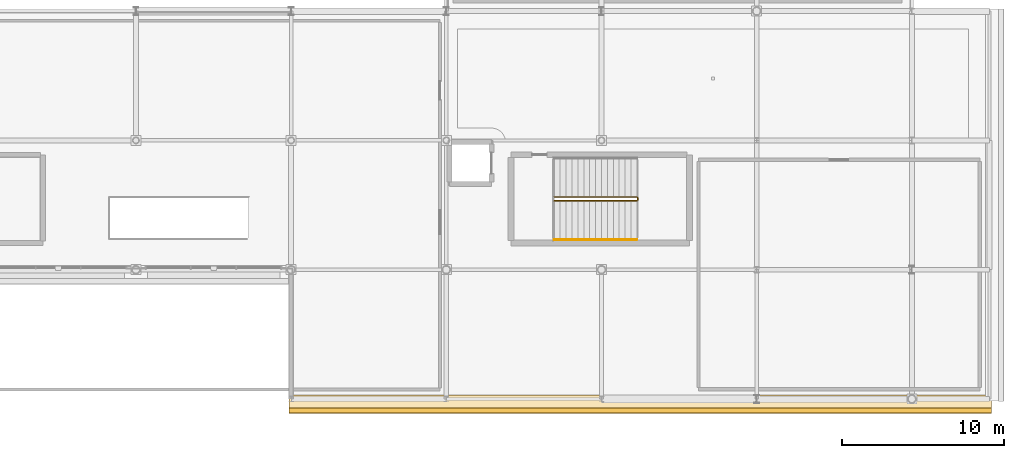
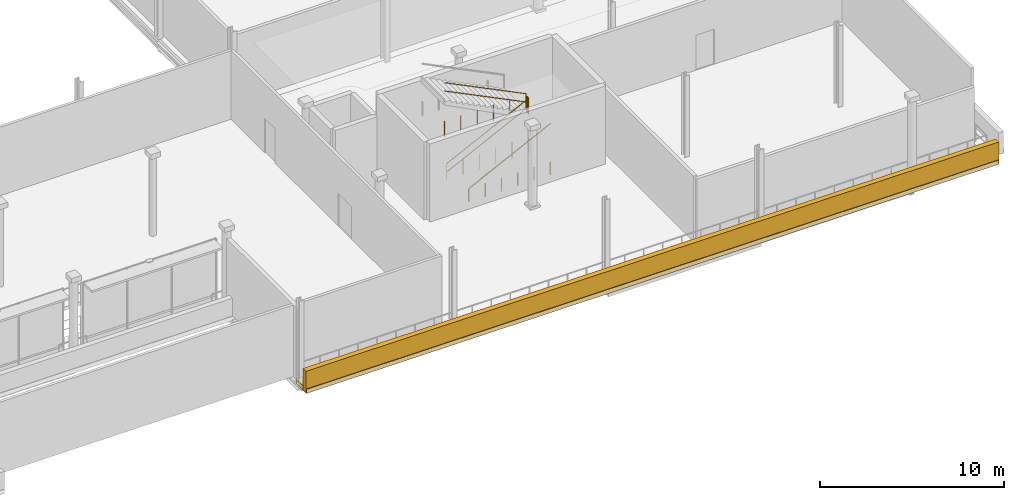
# One storey, part 120 of 129: 4 railings, 2 coverings.
"""IFC4 building model written with IfcOpenShell, lengths in metres."""

import ifcopenshell
import ifcopenshell.guid

model = None  # the IFC model being written
_history = None  # IfcOwnerHistory: only IFC2X3 demands one
_inside = {}  # id of a spatial element -> (the spatial element, [elements in it])
_under = {}  # id of a project, library or spatial element -> (it, [spatial elements below it])
_declared = {}  # id of a project -> (the project, [libraries it declares])
_typed = {}  # id of a type object -> (the type object, [elements of that type])
_made_of = {}  # id of a material, layer set ... -> (it, [elements and type objects made of it])


def new_model(schema):
    """Start an empty IFC model of exactly this schema.

    Asked for "IFC4X3", IfcOpenShell would pick the latest addendum, in which some entities
    have other attributes; the version numbers below select the first issue.
    IFC2X3 requires an IfcOwnerHistory on every rooted entity: one is made here for all.
    """
    global model, _history
    if schema == "IFC4X3":
        model = ifcopenshell.file(schema_version=(4, 3, 0, 0))
    else:
        model = ifcopenshell.file(schema=schema)
    _inside.clear()
    _under.clear()
    _declared.clear()
    _typed.clear()
    _made_of.clear()
    _history = None
    if model.schema == "IFC2X3":
        org = make("IfcOrganization", Name="unknown")
        user = make(
            "IfcPersonAndOrganization",
            ThePerson=make("IfcPerson", FamilyName="unknown"),
            TheOrganization=org,
        )
        app = make(
            "IfcApplication",
            ApplicationDeveloper=org,
            Version="unknown",
            ApplicationFullName="unknown",
            ApplicationIdentifier="unknown",
        )
        _history = make(
            "IfcOwnerHistory",
            OwningUser=user,
            OwningApplication=app,
            ChangeAction="ADDED",
            CreationDate=0,
        )
    return model


def make(cls, **values):
    """One entity of the class cls with the attributes given. An attribute that is None is left unset."""
    return model.create_entity(
        cls, **{name: value for name, value in values.items() if value is not None}
    )


def rooted(cls, **values):
    """An entity with a GlobalId (a new one), such as an element, a storey or a relation."""
    return make(cls, GlobalId=ifcopenshell.guid.new(), OwnerHistory=_history, **values)


def si_unit(unit_type, name, prefix=None):
    """IfcSIUnit, for example si_unit("LENGTHUNIT", "METRE", prefix="MILLI")."""
    return make("IfcSIUnit", UnitType=unit_type, Prefix=prefix, Name=name)


def assignment(units):
    """IfcUnitAssignment: the units of a project."""
    return None if units is None else make("IfcUnitAssignment", Units=units)


def point(xyz):
    """IfcCartesianPoint."""
    return None if xyz is None else make("IfcCartesianPoint", Coordinates=xyz)


def direction(xyz):
    """IfcDirection."""
    return None if xyz is None else make("IfcDirection", DirectionRatios=xyz)


def frame(location, z_axis=None, x_axis=None):
    """IfcAxis2Placement3D, a coordinate frame: its origin and axes. An axis left out is left unset."""
    return make(
        "IfcAxis2Placement3D",
        Location=point(location),
        Axis=direction(z_axis),
        RefDirection=direction(x_axis),
    )


def frame_2d(location, x_axis=None):
    """IfcAxis2Placement2D, a coordinate frame in the plane: its origin and x axis."""
    return make(
        "IfcAxis2Placement2D", Location=point(location), RefDirection=direction(x_axis)
    )


def origin():
    """The frame at (0, 0, 0) with its axes left unset."""
    return frame((0.0, 0.0, 0.0))


def origin_2d():
    """The frame at (0, 0) in the plane with its x axis left unset."""
    return frame_2d((0.0, 0.0))


def place(relative_to, where):
    """IfcLocalPlacement: puts the frame where relative to a parent placement (None: the world)."""
    return make(
        "IfcLocalPlacement", PlacementRelTo=relative_to, RelativePlacement=where
    )


def context(
    kind, dimensions, precision=None, world=None, true_north=None, identifier=None
):
    """IfcGeometricRepresentationContext, for example the 3D "Model" context."""
    return make(
        "IfcGeometricRepresentationContext",
        ContextIdentifier=identifier,
        ContextType=kind,
        CoordinateSpaceDimension=dimensions,
        Precision=precision,
        WorldCoordinateSystem=world,
        TrueNorth=true_north,
    )


def subcontext(parent, identifier, kind, view, scale=None):
    """IfcGeometricRepresentationSubContext, for example "Body" below "Model"."""
    return make(
        "IfcGeometricRepresentationSubContext",
        ContextIdentifier=identifier,
        ContextType=kind,
        ParentContext=parent,
        TargetScale=scale,
        TargetView=view,
    )


def project(units=None, contexts=None):
    """IfcProject with its units and contexts."""
    return rooted(
        "IfcProject",
        Name="project",
        RepresentationContexts=contexts,
        UnitsInContext=assignment(units),
    )


def spatial(cls, under=None, at=None, **own):
    """A site, building, storey or space (cls), placed at a placement, below another one or the project."""
    s = rooted(cls, ObjectPlacement=at, **own)
    if under is not None:
        _under.setdefault(under.id(), (under, []))[1].append(s)
    return s


def profile(cls, at=None, kind="AREA", **sizes):
    """A parametric profile (cls). Its sizes go by their IFC names, for example OverallWidth=200.0."""
    return make(cls, ProfileType=kind, Position=at, **sizes)


def rectangle(**sizes):
    """IfcRectangleProfileDef."""
    return profile("IfcRectangleProfileDef", **sizes)


def circle(**sizes):
    """IfcCircleProfileDef."""
    return profile("IfcCircleProfileDef", **sizes)


def extrude(swept, where, along, depth):
    """IfcExtrudedAreaSolid: the profile swept, set in the frame where, extruded along a direction by depth."""
    return make(
        "IfcExtrudedAreaSolid",
        SweptArea=swept,
        Position=where,
        ExtrudedDirection=direction(along),
        Depth=depth,
    )


def shape(context_of_items, identifier, shape_type, items):
    """IfcShapeRepresentation: the items that make up one representation, for example the "Body"."""
    return make(
        "IfcShapeRepresentation",
        ContextOfItems=context_of_items,
        RepresentationIdentifier=identifier,
        RepresentationType=shape_type,
        Items=items,
    )


def material(Name=None, Category=None):
    """IfcMaterial."""
    return make("IfcMaterial", Name=Name, Category=Category)


def layer(
    of_material, thickness, ventilated=None, Name=None, Category=None, Priority=None
):
    """IfcMaterialLayer: one layer of a wall or slab, of a material (None: an air gap)."""
    return make(
        "IfcMaterialLayer",
        Material=of_material,
        LayerThickness=thickness,
        IsVentilated=ventilated,
        Name=Name,
        Category=Category,
        Priority=Priority,
    )


def layer_set(layers, Name=None):
    """IfcMaterialLayerSet."""
    return make("IfcMaterialLayerSet", MaterialLayers=layers, LayerSetName=Name)


def made_of(thing, what):
    """Note that an element or type object is made of a material, layer set ...; save() writes the relation."""
    if what is not None:
        _made_of.setdefault(what.id(), (what, []))[1].append(thing)
    return thing


def type_object(cls, material=None, **own):
    """A type object (cls), such as IfcWallType, which elements share."""
    return made_of(rooted(cls, **own), material)


def element(
    cls,
    number,
    at=None,
    inside=None,
    cuts=None,
    type_object=None,
    material=None,
    context=None,
    identifier="Body",
    shape_type=None,
    held_by="IfcProductDefinitionShape",
    body=None,
    shapes=None,
    **own,
):
    """One element of the class cls, such as IfcWall. Its Tag is "e" and its number.

    at: its placement. inside: the storey or other place that contains it. cuts: it is an
    opening in that element (IfcRelVoidsElement). A single representation is given by context,
    identifier, shape_type and body (its items); several are given by shapes. held_by: the class
    of the entity that holds the representations. save() writes the other relations.
    """
    e = rooted(cls, Tag="e%d" % number, ObjectPlacement=at, **own)
    if body is not None:
        shapes = [shape(context, identifier, shape_type, body)]
    if shapes is not None:
        e.Representation = make(held_by, Representations=shapes)
    if inside is not None:
        _inside.setdefault(inside.id(), (inside, []))[1].append(e)
    if cuts is not None:
        rooted(
            "IfcRelVoidsElement", RelatingBuildingElement=cuts, RelatedOpeningElement=e
        )
    if type_object is not None:
        _typed.setdefault(type_object.id(), (type_object, []))[1].append(e)
    return made_of(e, material)


def aggregate(whole, parts):
    """IfcRelAggregates: a whole, such as a stair, and the parts it consists of."""
    return rooted("IfcRelAggregates", RelatingObject=whole, RelatedObjects=parts)


def save(model, path):
    """Write the relations noted so far, then the file.

    IfcRelAggregates (storeys below a building ...), IfcRelContainedInSpatialStructure (elements
    in a storey), IfcRelDefinesByType, IfcRelAssociatesMaterial and IfcRelDeclares: one each for
    every whole, place, type object, material and project.
    """
    for whole, parts in _under.values():
        aggregate(whole, parts)
    for where, things in _inside.values():
        rooted(
            "IfcRelContainedInSpatialStructure",
            RelatedElements=things,
            RelatingStructure=where,
        )
    for kind, things in _typed.values():
        rooted("IfcRelDefinesByType", RelatedObjects=things, RelatingType=kind)
    for what, things in _made_of.values():
        rooted("IfcRelAssociatesMaterial", RelatedObjects=things, RelatingMaterial=what)
    for by, libraries in _declared.values():
        rooted("IfcRelDeclares", RelatingContext=by, RelatedDefinitions=libraries)
    model.write(path)


model = new_model("IFC4")

# Units and contexts
model_context = context("Model", 3, precision=1e-05, world=origin(), true_north=direction((0.0, 1.0)))
body_context = subcontext(model_context, "Body", "Model", "MODEL_VIEW")
ifc_project = project(units=[si_unit("LENGTHUNIT", "METRE"), si_unit("AREAUNIT", "SQUARE_METRE"), si_unit("VOLUMEUNIT", "CUBIC_METRE"), si_unit("PLANEANGLEUNIT", "RADIAN"), si_unit("MASSUNIT", "GRAM", prefix="KILO")], contexts=[model_context])

# Site, building, storey
site_placement = place(None, origin())
site = spatial("IfcSite", under=ifc_project, at=site_placement, CompositionType="ELEMENT")
building_placement = place(site_placement, origin())
building = spatial("IfcBuilding", under=site, at=building_placement, Name="Danafjord Basin Convention Centre", CompositionType="ELEMENT")
storey_placement = place(building_placement, frame((0.0, 0.0, 6.0)))
storey = spatial("IfcBuildingStorey", under=building, at=storey_placement, Name="L01", CompositionType="ELEMENT", Elevation=6.0)

# Coverings
ifc_material_1 = material(Name="Architectural white precast concrete C45/55", Category="concrete")
ifc_layer = layer(ifc_material_1, 0.320068359375)
ifc_layer_set = layer_set([ifc_layer], Name="Architectural white precast concrete C45/55")
covering_type = type_object("IfcCoveringType", Name="COV-BAND-HORIZ", PredefinedType="CLADDING", material=ifc_layer_set)
covering_1_placement = place(storey_placement, frame((194.39990234375, -0.324951171875, -0.27978515625), z_axis=(0.0, 0.0, 1.0), x_axis=(1.0, 0.0, 0.0)))
element("IfcCovering", 1, at=covering_1_placement, inside=storey, type_object=covering_type, Name="L01 stepped horizontal band soffit plate 61", PredefinedType="CLADDING", context=body_context, shape_type="SweptSolid", body=[
    extrude(rectangle(XDim=43.43994140625, YDim=1.14990234375, at=origin_2d()), origin(), (0.0, 0.0, 1.0), 0.280029296875),
])
covering_2_placement = place(storey_placement, frame((194.39990234375, -0.7099609375, -0.239990234375), z_axis=(0.0, 0.0, 1.0), x_axis=(1.0, 0.0, 0.0)))
element("IfcCovering", 2, at=covering_2_placement, inside=storey, type_object=covering_type, Name="L01 layered horizontal white spandrel band 61", PredefinedType="CLADDING", context=body_context, shape_type="SweptSolid", body=[
    extrude(rectangle(XDim=43.47998046875, YDim=0.320068359375, at=origin_2d()), origin(), (0.0, 0.0, 1.0), 1.419921875),
])

# Railings
ifc_material_2 = material(Name="Galvanised steel S355", Category="steel")
railing_type_1 = type_object("IfcRailingType", Name="RL-GD-WELL", PredefinedType="BALUSTRADE", material=ifc_material_2)
railing_1_placement = place(storey_placement, frame((189.080078125, 12.260009765625, 0.179931640625)))
element("IfcRailing", 3, at=railing_1_placement, inside=storey, type_object=railing_type_1, Name="L01 ST-15 stair guard 1", PredefinedType="BALUSTRADE", context=body_context, shape_type="SweptSolid", body=[
    extrude(circle(Radius=0.02392578125, at=origin_2d()), frame((0.0, 0.0, 1.076171875), z_axis=(0.89686481642, 0.0, 0.442304760396), x_axis=(0.0, 1.0, 0.0)), (0.0, 0.0, 1.0), 5.697509765625),
    extrude(circle(Radius=0.02392578125, at=origin_2d()), frame((0.0, 0.0, 0.52587890625), z_axis=(0.89686481642, 0.0, 0.442304760396), x_axis=(0.0, 1.0, 0.0)), (0.0, 0.0, 1.0), 5.697509765625),
    extrude(circle(Radius=0.02099609375, at=origin_2d()), origin(), (0.0, 0.0, 1.0), 1.050048828125),
    extrude(circle(Radius=0.02099609375, at=origin_2d()), frame((1.02197265625, 0.0, 0.0)), (0.0, 0.0, 1.0), 1.050048828125),
    extrude(circle(Radius=0.02099609375, at=origin_2d()), frame((2.0439453125, 0.0, 0.0)), (0.0, 0.0, 1.0), 1.050048828125),
    extrude(circle(Radius=0.02099609375, at=origin_2d()), frame((3.06591796875, 0.0, 0.0)), (0.0, 0.0, 1.0), 1.050048828125),
    extrude(circle(Radius=0.02099609375, at=origin_2d()), frame((4.087890625, 0.0, 0.0)), (0.0, 0.0, 1.0), 1.050048828125),
    extrude(circle(Radius=0.02099609375, at=origin_2d()), frame((5.10986328125, 0.0, 0.0)), (0.0, 0.0, 1.0), 1.050048828125),
])
railing_2_placement = place(storey_placement, frame((194.239990234375, 12.31005859375, 2.699951171875)))
element("IfcRailing", 4, at=railing_2_placement, inside=storey, type_object=railing_type_1, Name="L01 ST-15 stair guard 2", PredefinedType="BALUSTRADE", context=body_context, shape_type="SweptSolid", body=[
    extrude(circle(Radius=0.02392578125, at=origin_2d()), frame((0.0, 0.0, 1.076171875), z_axis=(0.0, 1.0, 0.0), x_axis=(-1.0, 0.0, 0.0)), (0.0, 0.0, 1.0), 0.139892578125),
    extrude(circle(Radius=0.02392578125, at=origin_2d()), frame((0.0, 0.0, 0.52587890625), z_axis=(0.0, 1.0, 0.0), x_axis=(-1.0, 0.0, 0.0)), (0.0, 0.0, 1.0), 0.139892578125),
    extrude(circle(Radius=0.02099609375, at=origin_2d()), origin(), (0.0, 0.0, 1.0), 1.050048828125),
    extrude(circle(Radius=0.02099609375, at=origin_2d()), frame((0.0, 0.139892578125, 0.0)), (0.0, 0.0, 1.0), 1.050048828125),
])
railing_3_placement = place(storey_placement, frame((194.18994140625, 12.5, 2.8798828125)))
element("IfcRailing", 5, at=railing_3_placement, inside=storey, type_object=railing_type_1, Name="L01 ST-15 stair guard 3", PredefinedType="BALUSTRADE", context=body_context, shape_type="SweptSolid", body=[
    extrude(circle(Radius=0.02392578125, at=origin_2d()), frame((0.0, 0.0, 1.076171875), z_axis=(-0.89686481642, 0.0, 0.442304760396), x_axis=(0.0, -1.0, 0.0)), (0.0, 0.0, 1.0), 5.697509765625),
    extrude(circle(Radius=0.02392578125, at=origin_2d()), frame((0.0, 0.0, 0.52587890625), z_axis=(-0.89686481642, 0.0, 0.442304760396), x_axis=(0.0, -1.0, 0.0)), (0.0, 0.0, 1.0), 5.697509765625),
    extrude(circle(Radius=0.02099609375, at=origin_2d()), origin(), (0.0, 0.0, 1.0), 1.050048828125),
    extrude(circle(Radius=0.02099609375, at=origin_2d()), frame((-1.02197265625, 0.0, 0.0)), (0.0, 0.0, 1.0), 1.050048828125),
    extrude(circle(Radius=0.02099609375, at=origin_2d()), frame((-2.0439453125, 0.0, 0.0)), (0.0, 0.0, 1.0), 1.050048828125),
    extrude(circle(Radius=0.02099609375, at=origin_2d()), frame((-3.06591796875, 0.0, 0.0)), (0.0, 0.0, 1.0), 1.050048828125),
    extrude(circle(Radius=0.02099609375, at=origin_2d()), frame((-4.087890625, 0.0, 0.0)), (0.0, 0.0, 1.0), 1.050048828125),
    extrude(circle(Radius=0.02099609375, at=origin_2d()), frame((-5.10986328125, 0.0, 0.0)), (0.0, 0.0, 1.0), 1.050048828125),
])
ifc_material_3 = material(Name="Brushed stainless steel EN 1.4404", Category="steel")
railing_type_2 = type_object("IfcRailingType", Name="RL-HR-STAIR", PredefinedType="HANDRAIL", material=ifc_material_3)
railing_4_placement = place(storey_placement, frame((189.080078125, 9.860107421875, 0.179931640625)))
element("IfcRailing", 6, at=railing_4_placement, inside=storey, type_object=railing_type_2, Name="L01 ST-15 stair handrail 1", PredefinedType="HANDRAIL", context=body_context, shape_type="SweptSolid", body=[
    extrude(circle(Radius=0.02392578125, at=origin_2d()), frame((0.0, 0.0, 0.8759765625), z_axis=(0.89686481642, 0.0, 0.442304760396), x_axis=(0.0, 1.0, 0.0)), (0.0, 0.0, 1.0), 5.697509765625),
    extrude(circle(Radius=0.02099609375, at=origin_2d()), origin(), (0.0, 0.0, 1.0), 0.849853515625),
    extrude(circle(Radius=0.02099609375, at=origin_2d()), frame((1.02197265625, 0.0, 0.0)), (0.0, 0.0, 1.0), 0.849853515625),
    extrude(circle(Radius=0.02099609375, at=origin_2d()), frame((2.0439453125, 0.0, 0.0)), (0.0, 0.0, 1.0), 0.849853515625),
    extrude(circle(Radius=0.02099609375, at=origin_2d()), frame((3.06591796875, 0.0, 0.0)), (0.0, 0.0, 1.0), 0.849853515625),
    extrude(circle(Radius=0.02099609375, at=origin_2d()), frame((4.087890625, 0.0, 0.0)), (0.0, 0.0, 1.0), 0.849853515625),
    extrude(circle(Radius=0.02099609375, at=origin_2d()), frame((5.10986328125, 0.0, 0.0)), (0.0, 0.0, 1.0), 0.849853515625),
])

save(model, "model.ifc")
